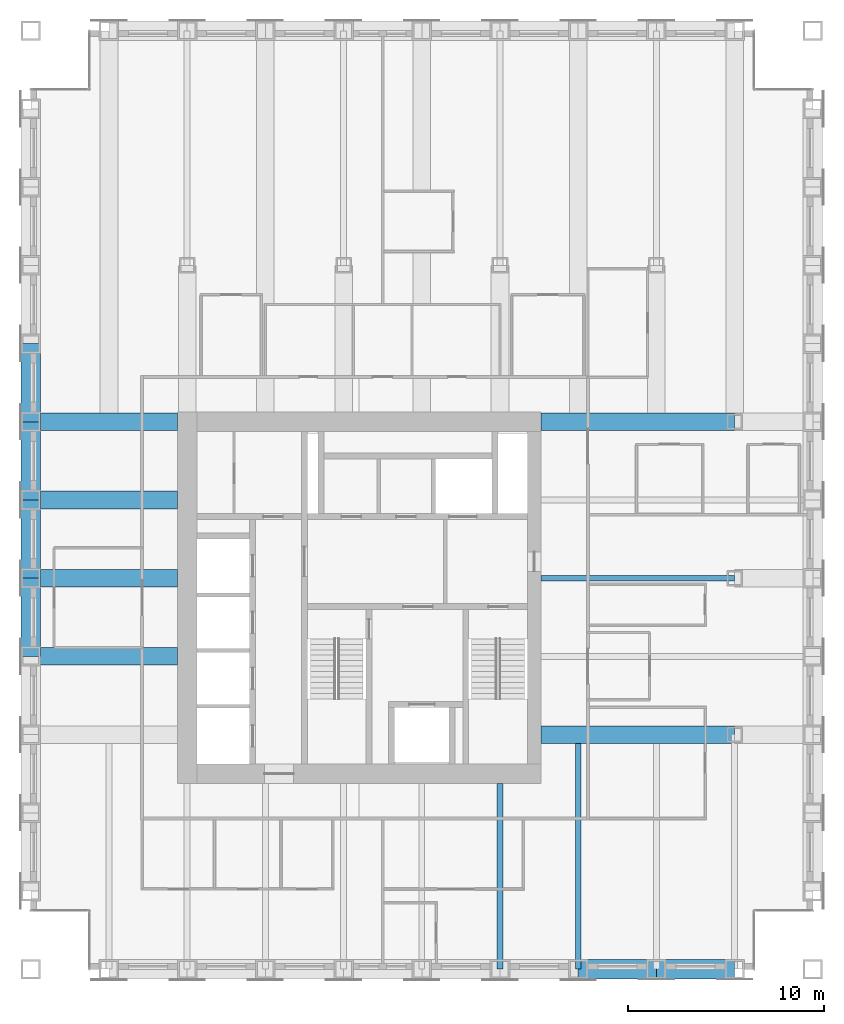
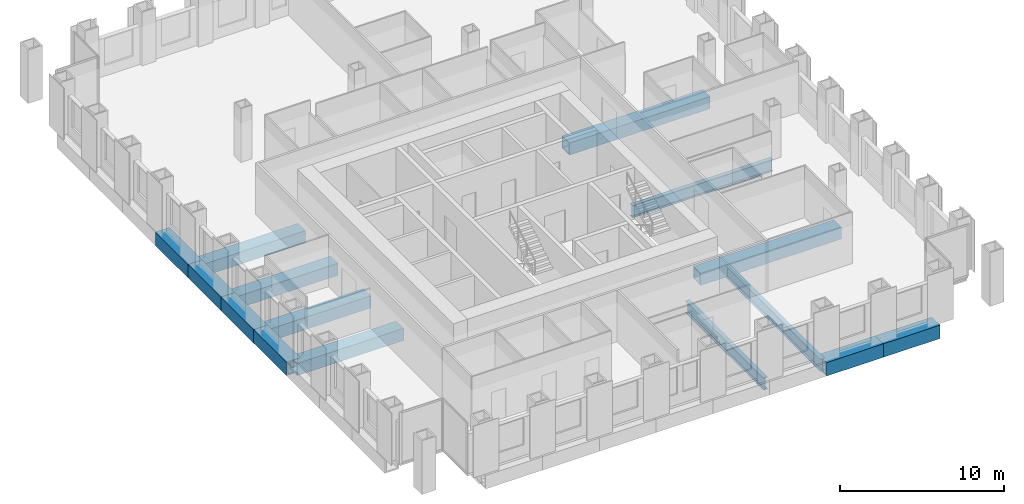
# One storey, part 3 of 14: 15 beams.
"""IFC4 building model written with IfcOpenShell, lengths in metres."""

from ifc_helpers import new_model, si_unit, direction, frame, origin, origin_2d, place, context, subcontext, project, spatial, hollow_rectangle, i_section, extrude, material, material_profile, profile_set, type_object, element, save


model = new_model("IFC4")

# Units and contexts
model_context = context("Model", 3, precision=1e-05, world=origin(), true_north=direction((0.0, 1.0)))
body_context = subcontext(model_context, "Body", "Model", "MODEL_VIEW")
ifc_project = project(units=[si_unit("LENGTHUNIT", "METRE"), si_unit("AREAUNIT", "SQUARE_METRE"), si_unit("VOLUMEUNIT", "CUBIC_METRE"), si_unit("PLANEANGLEUNIT", "RADIAN"), si_unit("MASSUNIT", "GRAM", prefix="KILO")], contexts=[model_context])

# Site, building, storey
site_placement = place(None, origin())
site = spatial("IfcSite", under=ifc_project, at=site_placement, CompositionType="ELEMENT")
building_placement = place(site_placement, origin())
building = spatial("IfcBuilding", under=site, at=building_placement, Name="Rimbunsela Tower", CompositionType="ELEMENT")
storey_placement = place(building_placement, frame((0.0, 0.0, 230.199951171875)))
storey = spatial("IfcBuildingStorey", under=building, at=storey_placement, Name="L55", CompositionType="ELEMENT", Elevation=230.199951171875)

# Beams
ifc_material_1 = material(Name="Steel BJ 55 (fy 410 MPa)", Category="steel")
ifc_material_profile_1 = material_profile(ifc_material_1, hollow_rectangle(XDim=1.0, YDim=1.0, WallThickness=0.10009765625, at=origin_2d()), Name="BOX 1000x1000x100")
ifc_profile_set_1 = profile_set([ifc_material_profile_1], Name="Steel BJ 55 (fy 410 MPa)")
beam_type_1 = type_object("IfcBeamType", Name="Beam BOX 1000x1000x100", PredefinedType="BEAM", material=ifc_profile_set_1)
for number, where, z_axis, x_axis, name in (
    (1, (10.0, 24.0, -0.64990234375), (0.0, 1.0, 0.0), (-1.0, 0.0, 0.0), "Beam B3 L55"),
    (2, (10.0, 28.0, -0.64990234375), (0.0, 1.0, 0.0), (-1.0, 0.0, 0.0), "Beam B3 L55"),
    (3, (10.0, 32.0, -0.64990234375), (0.0, 1.0, 0.0), (-1.0, 0.0, 0.0), "Beam B3 L55"),
    (4, (10.0, 36.0, -0.64990234375), (0.0, 1.0, 0.0), (-1.0, 0.0, 0.0), "Beam B3 L55"),
    (5, (38.0, 8.0, -0.64990234375), (1.0, 0.0, 0.0), (0.0, 1.0, 0.0), "Beam B3 L55"),
    (6, (42.0, 8.0, -0.64990234375), (1.0, 0.0, 0.0), (0.0, 1.0, 0.0), "Beam B3 L55"),
):
    element("IfcBeam", number, at=place(storey_placement, frame(where, z_axis=z_axis, x_axis=x_axis)), inside=storey, type_object=beam_type_1, Name=name, PredefinedType="BEAM", context=body_context, shape_type="SweptSolid", body=[
        extrude(hollow_rectangle(XDim=1.0, YDim=1.0, WallThickness=0.10009765625, at=origin_2d()), origin(), (0.0, 0.0, 1.0), 4.0),
    ])
ifc_material_2 = material(Name="Steel BJ 55 (fy 410 MPa)", Category="steel")
ifc_material_profile_2 = material_profile(ifc_material_2, hollow_rectangle(XDim=0.89990234375, YDim=0.89990234375, WallThickness=0.06005859375, at=origin_2d()), Name="BOX 900x900x60")
ifc_profile_set_2 = profile_set([ifc_material_profile_2], Name="Steel BJ 55 (fy 410 MPa)")
beam_type_2 = type_object("IfcBeamType", Name="Beam BOX 900x900x60", PredefinedType="BEAM", material=ifc_profile_set_2)
for number, where, z_axis, x_axis, name in (
    (7, (10.0, 24.0, -0.599853515625), (1.0, 0.0, 0.0), (0.0, 1.0, 0.0), "Beam B1 L55"),
    (8, (10.0, 28.0, -0.599853515625), (1.0, 0.0, 0.0), (0.0, 1.0, 0.0), "Beam B1 L55"),
    (9, (10.0, 32.0, -0.599853515625), (1.0, 0.0, 0.0), (0.0, 1.0, 0.0), "Beam B1 L55"),
    (10, (10.0, 36.0, -0.599853515625), (1.0, 0.0, 0.0), (0.0, 1.0, 0.0), "Beam B1 L55"),
):
    element("IfcBeam", number, at=place(storey_placement, frame(where, z_axis=z_axis, x_axis=x_axis)), inside=storey, type_object=beam_type_2, Name=name, PredefinedType="BEAM", context=body_context, shape_type="SweptSolid", body=[
        extrude(hollow_rectangle(XDim=0.89990234375, YDim=0.89990234375, WallThickness=0.06005859375, at=origin_2d()), origin(), (0.0, 0.0, 1.0), 7.5),
    ])
for number, where, z_axis, x_axis, name in (
    (11, (36.10009765625, 20.0, -0.599853515625), (1.0, 0.0, 0.0), (0.0, 1.0, 0.0), "Beam B1 L55"),
    (12, (36.10009765625, 36.0, -0.599853515625), (1.0, 0.0, 0.0), (0.0, 1.0, 0.0), "Beam B1 L55"),
):
    element("IfcBeam", number, at=place(storey_placement, frame(where, z_axis=z_axis, x_axis=x_axis)), inside=storey, type_object=beam_type_2, Name=name, PredefinedType="BEAM", context=body_context, shape_type="SweptSolid", body=[
        extrude(hollow_rectangle(XDim=0.89990234375, YDim=0.89990234375, WallThickness=0.06005859375, at=origin_2d()), origin(), (0.0, 0.0, 1.0), 9.89990234375),
    ])
ifc_material_3 = material(Name="Steel BJ 55 (fy 410 MPa)", Category="steel")
ifc_material_profile_3 = material_profile(ifc_material_3, i_section(OverallWidth=0.300048828125, OverallDepth=0.89990234375, WebThickness=0.01611328125, FlangeThickness=0.028076171875, FilletRadius=0.028076171875, at=origin_2d()), Name="H 900x300x16x28")
ifc_profile_set_3 = profile_set([ifc_material_profile_3], Name="Steel BJ 55 (fy 410 MPa)")
beam_type_3 = type_object("IfcBeamType", Name="Beam H 900x300x16x28", PredefinedType="BEAM", material=ifc_profile_set_3)
beam_1_placement = place(storey_placement, frame((34.0, 8.0, -0.599853515625), z_axis=(0.0, 1.0, 0.0), x_axis=(-1.0, 0.0, 0.0)))
element("IfcBeam", 13, at=beam_1_placement, inside=storey, type_object=beam_type_3, Name="Beam B2 L55", PredefinedType="BEAM", context=body_context, shape_type="SweptSolid", body=[
    extrude(i_section(OverallWidth=0.300048828125, OverallDepth=0.89990234375, WebThickness=0.01611328125, FlangeThickness=0.028076171875, FilletRadius=0.028076171875, at=origin_2d()), origin(), (0.0, 0.0, 1.0), 9.5),
])
beam_2_placement = place(storey_placement, frame((36.10009765625, 28.0, -0.599853515625), z_axis=(1.0, 0.0, 0.0), x_axis=(0.0, 1.0, 0.0)))
element("IfcBeam", 14, at=beam_2_placement, inside=storey, type_object=beam_type_3, Name="Beam B2 L55", PredefinedType="BEAM", context=body_context, shape_type="SweptSolid", body=[
    extrude(i_section(OverallWidth=0.300048828125, OverallDepth=0.89990234375, WebThickness=0.01611328125, FlangeThickness=0.028076171875, FilletRadius=0.028076171875, at=origin_2d()), origin(), (0.0, 0.0, 1.0), 9.89990234375),
])
beam_3_placement = place(storey_placement, frame((38.0, 8.0, -0.599853515625), z_axis=(0.0, 1.0, 0.0), x_axis=(-1.0, 0.0, 0.0)))
element("IfcBeam", 15, at=beam_3_placement, inside=storey, type_object=beam_type_3, Name="Beam B2 L55", PredefinedType="BEAM", context=body_context, shape_type="SweptSolid", body=[
    extrude(i_section(OverallWidth=0.300048828125, OverallDepth=0.89990234375, WebThickness=0.01611328125, FlangeThickness=0.028076171875, FilletRadius=0.028076171875, at=origin_2d()), origin(), (0.0, 0.0, 1.0), 11.550048828125),
])

save(model, "model.ifc")
